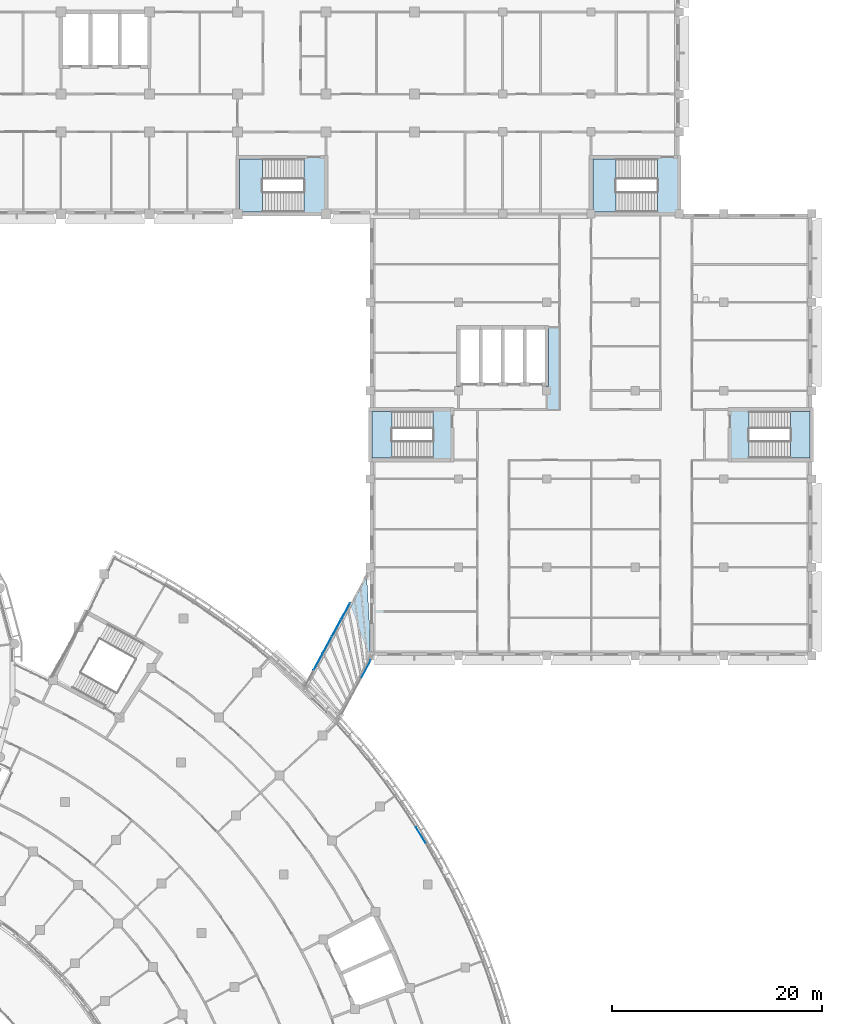
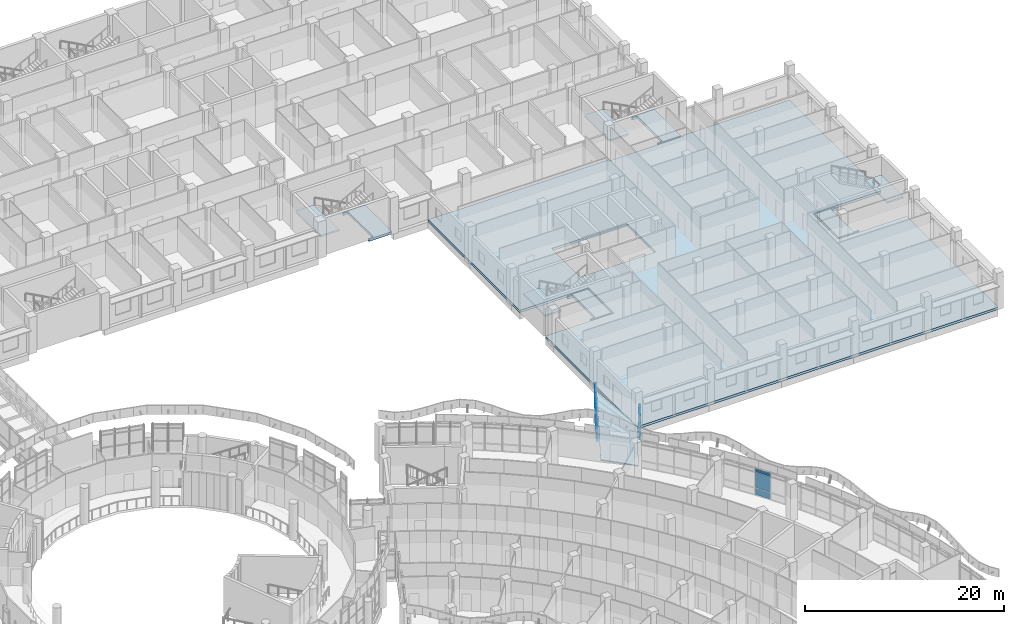
# One storey, part 53 of 136: 12 plates, 10 slabs, 7 elements without a shape of their own.
"""IFC4 building model written with IfcOpenShell, lengths in metres."""

from ifc_helpers import new_model, si_unit, direction, frame, origin, origin_2d, place, context, subcontext, project, spatial, polyline, rectangle, outline, extrude, material, layer, layer_set, type_object, element, aggregate, save


model = new_model("IFC4")

# Units and contexts
model_context = context("Model", 3, precision=1e-05, world=origin(), true_north=direction((0.0, 1.0)))
body_context = subcontext(model_context, "Body", "Model", "MODEL_VIEW")
ifc_project = project(units=[si_unit("LENGTHUNIT", "METRE"), si_unit("AREAUNIT", "SQUARE_METRE"), si_unit("VOLUMEUNIT", "CUBIC_METRE"), si_unit("PLANEANGLEUNIT", "RADIAN"), si_unit("MASSUNIT", "GRAM", prefix="KILO")], contexts=[model_context])

# Site, building, storey
site_placement = place(None, origin())
site = spatial("IfcSite", under=ifc_project, at=site_placement, CompositionType="ELEMENT")
building_placement = place(site_placement, origin())
building = spatial("IfcBuilding", under=site, at=building_placement, Name="Bougainvillea Quay General Hospital", CompositionType="ELEMENT")
storey_placement = place(building_placement, frame((0.0, 0.0, 5.39990234375)))
storey = spatial("IfcBuildingStorey", under=building, at=storey_placement, Name="L01", CompositionType="ELEMENT", Elevation=5.39990234375)

# Curtain wall, plates
ifc_material_1 = material(Name="Aluminium curtain wall system, powder-coated glazed", Category="aluminium")
curtain_wall_type = type_object("IfcCurtainWallType", Name="Unitised curtain wall CW-2100", PredefinedType="NOTDEFINED", material=ifc_material_1)
curtain_wall_1_placement = place(storey_placement, origin())
curtain_wall_1 = element("IfcCurtainWall", 1, at=curtain_wall_1_placement, inside=storey, type_object=curtain_wall_type, Name="CW-E05 a23b4", PredefinedType="NOTDEFINED")
ifc_material_2 = material(Name="Insulated aluminium spandrel panel, white", Category="aluminium")
ifc_layer_1 = layer(ifc_material_2, 0.028076171875)
ifc_layer_set_1 = layer_set([ifc_layer_1], Name="Insulated aluminium spandrel panel, white")
plate_type_1 = type_object("IfcPlateType", Name="Insulated spandrel panel white 28", PredefinedType="CURTAIN_PANEL", material=ifc_layer_set_1)
plate_1_placement = place(storey_placement, frame((168.60595703125, 58.541015625, 0.06005859375), z_axis=(0.0, 0.0, 1.0), x_axis=(0.523926442936, -0.851763513185, 0.0)))
plate_1 = element("IfcPlate", 2, at=plate_1_placement, type_object=plate_type_1, Name="CW-E05 spandrel panel 3.1", PredefinedType="CURTAIN_PANEL", context=body_context, shape_type="SweptSolid", body=[
    extrude(rectangle(XDim=1.72021484375, YDim=0.028076171875, at=origin_2d()), origin(), (0.0, 0.0, 1.0), 0.81005859375),
])
plate_2_placement = place(storey_placement, frame((168.60595703125, 58.541015625, 2.88037109375), z_axis=(0.0, 0.0, 1.0), x_axis=(0.523926442936, -0.851763513185, 0.0)))
plate_2 = element("IfcPlate", 3, at=plate_2_placement, type_object=plate_type_1, Name="CW-E05 spandrel panel 3.3", PredefinedType="CURTAIN_PANEL", context=body_context, shape_type="SweptSolid", body=[
    extrude(rectangle(XDim=1.72021484375, YDim=0.028076171875, at=origin_2d()), origin(), (0.0, 0.0, 1.0), 0.409912109375),
])

curtain_wall_2_placement = place(storey_placement, origin())
curtain_wall_2 = element("IfcCurtainWall", 4, at=curtain_wall_2_placement, inside=storey, type_object=curtain_wall_type, Name="BG-L L", PredefinedType="NOTDEFINED")
plate_3_placement = place(storey_placement, frame((159.714599609375, 76.60107421875, 0.06005859375), z_axis=(0.0, 0.0, 1.0), x_axis=(0.477017106163, 0.878894009781, 0.0)))
plate_3 = element("IfcPlate", 5, at=plate_3_placement, type_object=plate_type_1, Name="BG-L spandrel panel 3.1", PredefinedType="CURTAIN_PANEL", context=body_context, shape_type="SweptSolid", body=[
    extrude(rectangle(XDim=1.77392578125, YDim=0.028076171875, at=origin_2d()), origin(), (0.0, 0.0, 1.0), 0.81005859375),
])
plate_4_placement = place(storey_placement, frame((160.58935546875, 78.212646484375, 0.06005859375), z_axis=(0.0, 0.0, 1.0), x_axis=(0.477017106163, 0.878894009781, 0.0)))
plate_4 = element("IfcPlate", 6, at=plate_4_placement, type_object=plate_type_1, Name="BG-L spandrel panel 4.1", PredefinedType="CURTAIN_PANEL", context=body_context, shape_type="SweptSolid", body=[
    extrude(rectangle(XDim=1.77392578125, YDim=0.028076171875, at=origin_2d()), origin(), (0.0, 0.0, 1.0), 0.81005859375),
])
plate_5_placement = place(storey_placement, frame((161.45703125, 79.811279296875, 0.06005859375), z_axis=(0.0, 0.0, 1.0), x_axis=(0.477017106163, 0.878894009781, 0.0)))
plate_5 = element("IfcPlate", 7, at=plate_5_placement, type_object=plate_type_1, Name="BG-L spandrel panel 5.1", PredefinedType="CURTAIN_PANEL", context=body_context, shape_type="SweptSolid", body=[
    extrude(rectangle(XDim=1.743896484375, YDim=0.028076171875, at=origin_2d()), origin(), (0.0, 0.0, 1.0), 0.81005859375),
])

# Curtain wall, plate
curtain_wall_3_placement = place(storey_placement, origin())
curtain_wall_3 = element("IfcCurtainWall", 8, at=curtain_wall_3_placement, inside=storey, type_object=curtain_wall_type, Name="BG-R R", PredefinedType="NOTDEFINED")
plate_6_placement = place(storey_placement, frame((163.392822265625, 74.321533203125, 0.06005859375), z_axis=(0.0, 0.0, 1.0), x_axis=(-0.477017106163, -0.878894009781, 0.0)))
plate_6 = element("IfcPlate", 9, at=plate_6_placement, type_object=plate_type_1, Name="BG-R spandrel panel 1.1", PredefinedType="CURTAIN_PANEL", context=body_context, shape_type="SweptSolid", body=[
    extrude(rectangle(XDim=1.87939453125, YDim=0.028076171875, at=origin_2d()), origin(), (0.0, 0.0, 1.0), 0.81005859375),
])

# Plate
ifc_material_3 = material(Name="Low-e laminated glass, solar control", Category="glass")
ifc_layer_2 = layer(ifc_material_3, 0.028076171875)
ifc_layer_set_2 = layer_set([ifc_layer_2], Name="Low-e laminated glass, solar control")
plate_type_2 = type_object("IfcPlateType", Name="Low-e laminated vision glass 28", PredefinedType="CURTAIN_PANEL", material=ifc_layer_set_2)
plate_7_placement = place(storey_placement, frame((168.60595703125, 58.541015625, 0.93017578125), z_axis=(0.0, 0.0, 1.0), x_axis=(0.523926442936, -0.851763513185, 0.0)))
plate_7 = element("IfcPlate", 10, at=plate_7_placement, type_object=plate_type_2, Name="CW-E05 vision glass panel 3.2", PredefinedType="CURTAIN_PANEL", context=body_context, shape_type="SweptSolid", body=[
    extrude(rectangle(XDim=1.72021484375, YDim=0.028076171875, at=origin_2d()), origin(), (0.0, 0.0, 1.0), 1.889892578125),
])

aggregate(curtain_wall_1, [plate_1, plate_7, plate_2])

plate_8_placement = place(storey_placement, frame((158.83984375, 74.9892578125, 0.93017578125), z_axis=(0.0, 0.0, 1.0), x_axis=(0.477017106163, 0.878894009781, 0.0)))
plate_8 = element("IfcPlate", 11, at=plate_8_placement, type_object=plate_type_2, Name="BG-L vision glass panel 2.2", PredefinedType="CURTAIN_PANEL", context=body_context, shape_type="SweptSolid", body=[
    extrude(rectangle(XDim=1.77392578125, YDim=0.028076171875, at=origin_2d()), origin(), (0.0, 0.0, 1.0), 2.010009765625),
])

plate_9_placement = place(storey_placement, frame((159.714599609375, 76.60107421875, 0.93017578125), z_axis=(0.0, 0.0, 1.0), x_axis=(0.477017106163, 0.878894009781, 0.0)))
plate_9 = element("IfcPlate", 12, at=plate_9_placement, type_object=plate_type_2, Name="BG-L vision glass panel 3.2", PredefinedType="CURTAIN_PANEL", context=body_context, shape_type="SweptSolid", body=[
    extrude(rectangle(XDim=1.77392578125, YDim=0.028076171875, at=origin_2d()), origin(), (0.0, 0.0, 1.0), 2.010009765625),
])

plate_10_placement = place(storey_placement, frame((160.58935546875, 78.212646484375, 0.93017578125), z_axis=(0.0, 0.0, 1.0), x_axis=(0.477017106163, 0.878894009781, 0.0)))
plate_10 = element("IfcPlate", 13, at=plate_10_placement, type_object=plate_type_2, Name="BG-L vision glass panel 4.2", PredefinedType="CURTAIN_PANEL", context=body_context, shape_type="SweptSolid", body=[
    extrude(rectangle(XDim=1.77392578125, YDim=0.028076171875, at=origin_2d()), origin(), (0.0, 0.0, 1.0), 2.010009765625),
])

plate_11_placement = place(storey_placement, frame((161.45703125, 79.811279296875, 0.93017578125), z_axis=(0.0, 0.0, 1.0), x_axis=(0.477017106163, 0.878894009781, 0.0)))
plate_11 = element("IfcPlate", 14, at=plate_11_placement, type_object=plate_type_2, Name="BG-L vision glass panel 5.2", PredefinedType="CURTAIN_PANEL", context=body_context, shape_type="SweptSolid", body=[
    extrude(rectangle(XDim=1.743896484375, YDim=0.028076171875, at=origin_2d()), origin(), (0.0, 0.0, 1.0), 2.010009765625),
])

aggregate(curtain_wall_2, [plate_8, plate_3, plate_9, plate_4, plate_10, plate_5, plate_11])

plate_12_placement = place(storey_placement, frame((163.392822265625, 74.321533203125, 0.93017578125), z_axis=(0.0, 0.0, 1.0), x_axis=(-0.477017106163, -0.878894009781, 0.0)))
plate_12 = element("IfcPlate", 15, at=plate_12_placement, type_object=plate_type_2, Name="BG-R vision glass panel 1.2", PredefinedType="CURTAIN_PANEL", context=body_context, shape_type="SweptSolid", body=[
    extrude(rectangle(XDim=1.87939453125, YDim=0.028076171875, at=origin_2d()), origin(), (0.0, 0.0, 1.0), 2.010009765625),
])

aggregate(curtain_wall_3, [plate_6, plate_12])

# Slabs
ifc_material_4 = material(Name="Concrete C35", Category="concrete")
ifc_layer_3 = layer(ifc_material_4, 0.1201171875)
ifc_layer_set_3 = layer_set([ifc_layer_3], Name="Concrete C35")
slab_type_1 = type_object("IfcSlabType", Name="RC BRIDGE DECK 120 C35", PredefinedType="FLOOR", material=ifc_layer_set_3)
slab_1_placement = place(storey_placement, frame((0.0, 0.0, -0.119873046875)))
element("IfcSlab", 16, at=slab_1_placement, inside=storey, type_object=slab_type_1, Name="Bridge deck", PredefinedType="FLOOR", context=body_context, shape_type="SweptSolid", body=[
    extrude(outline(polyline([(163.47900390625, 83.0908203125), (157.739501953125, 72.426025390625), (158.697021484375, 71.4970703125), (160.205078125, 69.943115234375), (160.53125, 69.5849609375), (163.843994140625, 75.60009765625), (163.800048828125, 75.60009765625), (163.800048828125, 77.440673828125), (163.47900390625, 83.0908203125)])), origin(), (0.0, 0.0, 1.0), 0.119873046875),
])
ifc_layer_4 = layer(ifc_material_4, 0.300048828125)
ifc_layer_set_4 = layer_set([ifc_layer_4], Name="Concrete C35")
slab_type_2 = type_object("IfcSlabType", Name="RC FLAT SLAB 300 C35", PredefinedType="FLOOR", material=ifc_layer_set_4)
slab_2_placement = place(storey_placement, frame((0.0, 0.0, -0.2998046875)))
element("IfcSlab", 17, at=slab_2_placement, inside=storey, type_object=slab_type_2, Name="Slab S3 L01", PredefinedType="FLOOR", context=body_context, shape_type="SweptSolid", body=[
    extrude(outline(polyline([(184.625, 117.60009765625), (163.800048828125, 117.60009765625), (163.800048828125, 99.175048828125), (171.425048828125, 99.175048828125), (171.77490234375, 99.175048828125), (171.77490234375, 94.02490234375), (171.425048828125, 94.02490234375), (163.97509765625, 94.02490234375), (163.800048828125, 94.02490234375), (163.800048828125, 75.60009765625), (205.800048828125, 75.60009765625), (205.800048828125, 94.02490234375), (205.625, 94.02490234375), (198.175048828125, 94.02490234375), (197.824951171875, 94.02490234375), (197.824951171875, 98.824951171875), (197.824951171875, 99.175048828125), (205.625, 99.175048828125), (205.800048828125, 99.175048828125), (205.800048828125, 117.60009765625), (193.375, 117.60009765625), (193.375, 117.425048828125), (193.02490234375, 117.425048828125), (184.97509765625, 117.425048828125), (184.625, 117.425048828125), (184.625, 117.60009765625)]), holes=[polyline([(180.425048828125, 101.22509765625), (178.5, 101.22509765625), (176.39990234375, 101.22509765625), (174.300048828125, 101.22509765625), (172.375, 101.22509765625), (172.02490234375, 101.22509765625), (172.02490234375, 106.625), (172.02490234375, 106.97509765625), (174.300048828125, 106.97509765625), (176.39990234375, 106.97509765625), (178.5, 106.97509765625), (180.425048828125, 106.97509765625), (180.77490234375, 106.97509765625), (180.77490234375, 101.22509765625), (180.425048828125, 101.22509765625)])]), origin(), (0.0, 0.0, 1.0), 0.2998046875),
])
slab_3_placement = place(storey_placement, frame((0.0, 0.0, -0.2998046875)))
element("IfcSlab", 18, at=slab_3_placement, inside=storey, type_object=slab_type_2, Name="Stair landing floor ST-D4 L01", PredefinedType="FLOOR", context=body_context, shape_type="SweptSolid", body=[
    extrude(outline(polyline([(190.5029296875, 122.8837890625), (190.511474609375, 122.942138671875), (190.52587890625, 122.99951171875), (193.199951171875, 123.0), (193.199951171875, 117.60009765625), (190.52587890625, 117.600341796875), (190.511474609375, 117.657958984375), (190.5029296875, 117.71630859375), (190.5, 117.77392578125), (191.1005859375, 117.7744140625), (191.1005859375, 122.82568359375), (190.5, 122.825927734375), (190.5029296875, 122.8837890625)])), origin(), (0.0, 0.0, 1.0), 0.2998046875),
])
slab_4_placement = place(storey_placement, frame((0.0, 0.0, -0.2998046875)))
element("IfcSlab", 19, at=slab_4_placement, inside=storey, type_object=slab_type_2, Name="Stair landing floor ST-T1 L01", PredefinedType="FLOOR", context=body_context, shape_type="SweptSolid", body=[
    extrude(outline(polyline([(169.177978515625, 98.8837890625), (169.1865234375, 98.942138671875), (169.200927734375, 98.99951171875), (171.60009765625, 99.0), (171.60009765625, 94.199951171875), (169.200927734375, 94.200439453125), (169.1865234375, 94.2578125), (169.177978515625, 94.316162109375), (169.175048828125, 94.3740234375), (169.775634765625, 94.374267578125), (169.775634765625, 98.82568359375), (169.175048828125, 98.825927734375), (169.177978515625, 98.8837890625)])), origin(), (0.0, 0.0, 1.0), 0.2998046875),
])
slab_5_placement = place(storey_placement, frame((0.0, 0.0, -0.2998046875)))
element("IfcSlab", 20, at=slab_5_placement, inside=storey, type_object=slab_type_2, Name="Stair landing floor ST-T2 L01", PredefinedType="FLOOR", context=body_context, shape_type="SweptSolid", body=[
    extrude(outline(polyline([(200.422119140625, 94.316162109375), (200.41357421875, 94.2578125), (200.399169921875, 94.200439453125), (198.0, 94.199951171875), (198.0, 99.0), (200.399169921875, 98.99951171875), (200.41357421875, 98.942138671875), (200.422119140625, 98.8837890625), (200.425048828125, 98.825927734375), (199.824462890625, 98.82568359375), (199.824462890625, 94.374267578125), (200.425048828125, 94.3740234375), (200.422119140625, 94.316162109375)])), origin(), (0.0, 0.0, 1.0), 0.2998046875),
])
slab_6_placement = place(storey_placement, frame((0.0, 0.0, -0.2998046875)))
element("IfcSlab", 21, at=slab_6_placement, inside=storey, type_object=slab_type_2, Name="Stair landing floor ST-B4 L01", PredefinedType="FLOOR", context=body_context, shape_type="SweptSolid", body=[
    extrude(outline(polyline([(156.90283203125, 122.8837890625), (156.91162109375, 122.942138671875), (156.926025390625, 122.99951171875), (159.60009765625, 123.0), (159.60009765625, 117.60009765625), (156.926025390625, 117.600341796875), (156.91162109375, 117.657958984375), (156.90283203125, 117.71630859375), (156.89990234375, 117.77392578125), (157.500732421875, 117.7744140625), (157.500732421875, 122.82568359375), (156.89990234375, 122.825927734375), (156.90283203125, 122.8837890625)])), origin(), (0.0, 0.0, 1.0), 0.2998046875),
])

# Stair, slab
stair_type_1 = type_object("IfcStairType", Name="Stair half-turn 1925 wide", PredefinedType="HALF_TURN_STAIR", material=ifc_material_4)
stair_1_placement = place(storey_placement, origin())
stair_1 = element("IfcStair", 22, at=stair_1_placement, inside=storey, type_object=stair_type_1, Name="L01 stair ST-D4", PredefinedType="HALF_TURN_STAIR")
ifc_layer_5 = layer(ifc_material_4, 0.199951171875)
ifc_layer_set_5 = layer_set([ifc_layer_5], Name="Concrete C35")
slab_type_3 = type_object("IfcSlabType", Name="Stair landing 200", PredefinedType="LANDING", material=ifc_layer_set_5)
slab_7_placement = place(storey_placement, frame((0.0, 0.0, 2.050048828125)))
slab_7 = element("IfcSlab", 23, at=slab_7_placement, type_object=slab_type_3, Name="ST-D4 landing 1", PredefinedType="LANDING", context=body_context, shape_type="SweptSolid", body=[
    extrude(outline(polyline([(187.179931640625, 122.824951171875), (184.97509765625, 122.824951171875), (184.97509765625, 117.77490234375), (187.179931640625, 117.77490234375), (187.179931640625, 122.824951171875)])), origin(), (0.0, 0.0, 1.0), 0.199951171875),
])
aggregate(stair_1, [slab_7])

stair_type_2 = type_object("IfcStairType", Name="Stair half-turn 1650 wide", PredefinedType="HALF_TURN_STAIR", material=ifc_material_4)
stair_2_placement = place(storey_placement, origin())
stair_2 = element("IfcStair", 24, at=stair_2_placement, inside=storey, type_object=stair_type_2, Name="L01 stair ST-T1", PredefinedType="HALF_TURN_STAIR")
slab_8_placement = place(storey_placement, frame((0.0, 0.0, 2.050048828125)))
slab_8 = element("IfcSlab", 25, at=slab_8_placement, type_object=slab_type_3, Name="ST-T1 landing 1", PredefinedType="LANDING", context=body_context, shape_type="SweptSolid", body=[
    extrude(outline(polyline([(165.85498046875, 98.824951171875), (163.97509765625, 98.824951171875), (163.97509765625, 94.375), (165.85498046875, 94.375), (165.85498046875, 98.824951171875)])), origin(), (0.0, 0.0, 1.0), 0.199951171875),
])
aggregate(stair_2, [slab_8])

stair_3_placement = place(storey_placement, origin())
stair_3 = element("IfcStair", 26, at=stair_3_placement, inside=storey, type_object=stair_type_2, Name="L01 stair ST-T2", PredefinedType="HALF_TURN_STAIR")
slab_9_placement = place(storey_placement, frame((0.0, 0.0, 2.050048828125)))
slab_9 = element("IfcSlab", 27, at=slab_9_placement, type_object=slab_type_3, Name="ST-T2 landing 1", PredefinedType="LANDING", context=body_context, shape_type="SweptSolid", body=[
    extrude(outline(polyline([(203.7451171875, 94.375), (205.625, 94.375), (205.625, 98.824951171875), (203.7451171875, 98.824951171875), (203.7451171875, 94.375)])), origin(), (0.0, 0.0, 1.0), 0.199951171875),
])
aggregate(stair_3, [slab_9])

stair_4_placement = place(storey_placement, origin())
stair_4 = element("IfcStair", 28, at=stair_4_placement, inside=storey, type_object=stair_type_1, Name="L01 stair ST-B4", PredefinedType="HALF_TURN_STAIR")
slab_10_placement = place(storey_placement, frame((0.0, 0.0, 2.050048828125)))
slab_10 = element("IfcSlab", 29, at=slab_10_placement, type_object=slab_type_3, Name="ST-B4 landing 1", PredefinedType="LANDING", context=body_context, shape_type="SweptSolid", body=[
    extrude(outline(polyline([(153.580078125, 122.824951171875), (151.375, 122.824951171875), (151.375, 117.77490234375), (153.580078125, 117.77490234375), (153.580078125, 122.824951171875)])), origin(), (0.0, 0.0, 1.0), 0.199951171875),
])
aggregate(stair_4, [slab_10])

save(model, "model.ifc")
